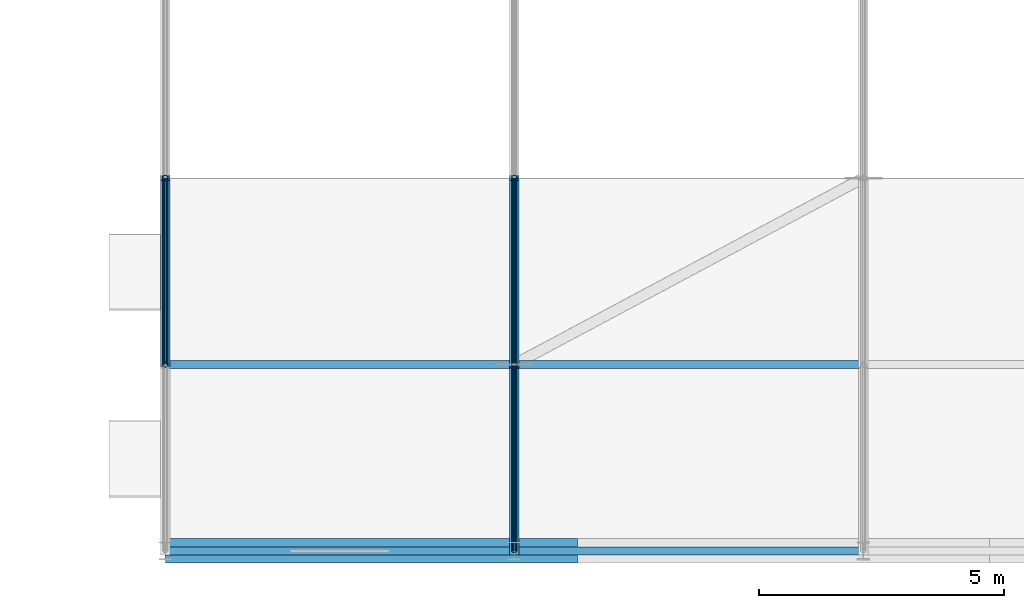
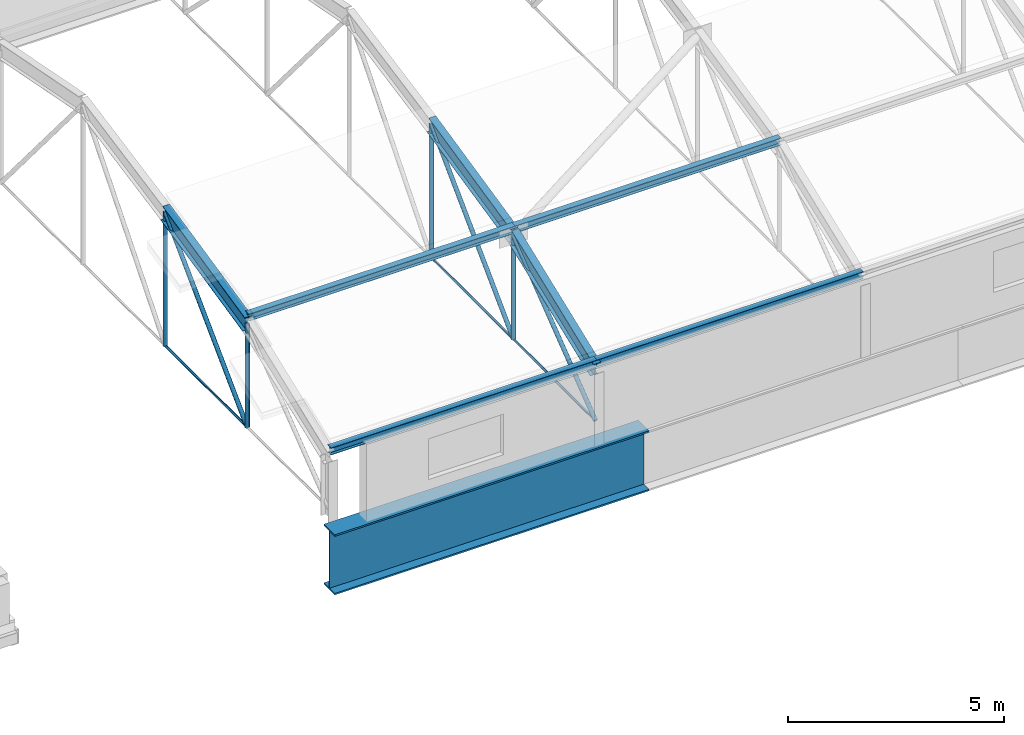
# One storey, part 6 of 53: 14 members, 4 beams.
"""IFC4 building model written with IfcOpenShell, lengths in metres."""

from ifc_helpers import new_model, si_unit, direction, frame, origin_with_axes, origin_2d_with_axis, place, context, subcontext, project, spatial, circle, hollow_circle, i_section, extrude, material, material_profile, profile_set, type_object, element, save


model = new_model("IFC4")

# Units and contexts
model_context = context("Model", 3, precision=1e-05, world=origin_with_axes(), true_north=direction((0.0, 1.0)))
body_context = subcontext(model_context, "Body", "Model", "MODEL_VIEW")
ifc_project = project(units=[si_unit("LENGTHUNIT", "METRE"), si_unit("AREAUNIT", "SQUARE_METRE"), si_unit("VOLUMEUNIT", "CUBIC_METRE"), si_unit("PLANEANGLEUNIT", "RADIAN"), si_unit("MASSUNIT", "GRAM", prefix="KILO"), si_unit("THERMODYNAMICTEMPERATUREUNIT", "KELVIN")], contexts=[model_context])

# Site, building, storey
site_placement = place(None, origin_with_axes())
site = spatial("IfcSite", under=ifc_project, at=site_placement, CompositionType="ELEMENT")
building_placement = place(site_placement, origin_with_axes())
building = spatial("IfcBuilding", under=site, at=building_placement, Name="Montbau Bow Law Courts", CompositionType="ELEMENT")
storey_placement = place(building_placement, frame((0.0, 0.0, 39.0), z_axis=(0.0, 0.0, 1.0), x_axis=(1.0, 0.0, 0.0)))
storey = spatial("IfcBuildingStorey", under=building, at=storey_placement, Name="L08", CompositionType="ELEMENT", Elevation=39.0)

# Beams
ifc_material = material(Name="Steel CSA G40.21 Grade 350WT (350 MPa)", Category="steel")
ifc_material_profile_1 = material_profile(ifc_material, i_section(OverallWidth=0.191, OverallDepth=0.46, WebThickness=0.0099, FlangeThickness=0.016, at=origin_2d_with_axis()), Name="W460X82", Category="Main", Priority=0)
ifc_profile_set_1 = profile_set([ifc_material_profile_1], Name="Steel CSA G40.21 Grade 350WT (350 MPa)")
beam_type_1 = type_object("IfcBeamType", Name="B-ARC-02", PredefinedType="USERDEFINED", material=ifc_profile_set_1)
beam_1_placement = place(None, frame((55.2, 42.8, 42.178), z_axis=(0.0, 0.97610237, 0.217311212), x_axis=(-1.0, 0.0, 0.0)))
element("IfcBeam", 1, at=beam_1_placement, inside=storey, type_object=beam_type_1, Name="Barrel vault roof truss arch rib V3-098", ObjectType="ARCH_RIB", PredefinedType="USERDEFINED", context=body_context, shape_type="SweptSolid", body=[
    extrude(i_section(OverallWidth=0.191, OverallDepth=0.46, WebThickness=0.0099, FlangeThickness=0.016, at=origin_2d_with_axis()), origin_with_axes(), (0.0, 0.0, 1.0), 3.893034),
])
beam_2_placement = place(None, frame((62.314, 39.0, 40.7), z_axis=(0.0, 0.931986259, 0.362493603), x_axis=(-1.0, 0.0, 0.0)))
element("IfcBeam", 2, at=beam_2_placement, inside=storey, type_object=beam_type_1, Name="Barrel vault roof truss arch rib V3-103", ObjectType="ARCH_RIB", PredefinedType="USERDEFINED", context=body_context, shape_type="SweptSolid", body=[
    extrude(i_section(OverallWidth=0.191, OverallDepth=0.46, WebThickness=0.0099, FlangeThickness=0.016, at=origin_2d_with_axis()), origin_with_axes(), (0.0, 0.0, 1.0), 4.077313),
])
beam_3_placement = place(None, frame((62.314, 42.8, 42.178), z_axis=(0.0, 0.97610237, 0.217311212), x_axis=(-1.0, 0.0, 0.0)))
element("IfcBeam", 3, at=beam_3_placement, inside=storey, type_object=beam_type_1, Name="Barrel vault roof truss arch rib V3-104", ObjectType="ARCH_RIB", PredefinedType="USERDEFINED", context=body_context, shape_type="SweptSolid", body=[
    extrude(i_section(OverallWidth=0.191, OverallDepth=0.46, WebThickness=0.0099, FlangeThickness=0.016, at=origin_2d_with_axis()), origin_with_axes(), (0.0, 0.0, 1.0), 3.893034),
])
ifc_material_profile_2 = material_profile(ifc_material, i_section(OverallWidth=0.5, OverallDepth=1.7, WebThickness=0.02, FlangeThickness=0.045, at=origin_2d_with_axis()), Name="WWF1700X480", Category="Main", Priority=0)
ifc_profile_set_2 = profile_set([ifc_material_profile_2], Name="Steel CSA G40.21 Grade 350WT (350 MPa)")
beam_type_2 = type_object("IfcBeamType", Name="B-TRG-02", PredefinedType="USERDEFINED", material=ifc_profile_set_2)
beam_4_placement = place(None, frame((55.2, 39.0, 37.81), z_axis=(1.0, 0.0, 0.0), x_axis=(0.0, 1.0, 0.0)))
element("IfcBeam", 4, at=beam_4_placement, inside=storey, type_object=beam_type_2, Name="VRG-L08-S0019:bm2_0022", ObjectType="GIRDER", PredefinedType="USERDEFINED", context=body_context, shape_type="SweptSolid", body=[
    extrude(i_section(OverallWidth=0.5, OverallDepth=1.7, WebThickness=0.02, FlangeThickness=0.045, at=origin_2d_with_axis()), origin_with_axes(), (0.0, 0.0, 1.0), 8.4),
])

# Members
ifc_material_profile_3 = material_profile(ifc_material, i_section(OverallWidth=0.165, OverallDepth=0.201, WebThickness=0.0062, FlangeThickness=0.0102, at=origin_2d_with_axis()), Name="W200X36", Category="Main", Priority=0)
ifc_profile_set_3 = profile_set([ifc_material_profile_3], Name="Steel CSA G40.21 Grade 350WT (350 MPa)")
member_type_1 = type_object("IfcMemberType", Name="M-PUR-02", PredefinedType="PURLIN", material=ifc_profile_set_3)
for number, where, z_axis, x_axis, name in (
    (5, (55.2, 39.0, 40.91), (1.0, 0.0, 0.0), (0.0, 1.0, 0.0), "Barrel vault roof truss purlin V3-099"),
    (6, (55.2, 42.8, 42.388), (1.0, 0.0, 0.0), (0.0, 1.0, 0.0), "Barrel vault roof truss purlin V3-100"),
):
    element("IfcMember", number, at=place(None, frame(where, z_axis=z_axis, x_axis=x_axis)), inside=storey, type_object=member_type_1, Name=name, PredefinedType="PURLIN", context=body_context, shape_type="SweptSolid", body=[
        extrude(i_section(OverallWidth=0.165, OverallDepth=0.201, WebThickness=0.0062, FlangeThickness=0.0102, at=origin_2d_with_axis()), origin_with_axes(), (0.0, 0.0, 1.0), 7.114),
    ])
for number, where, z_axis, x_axis, name in (
    (7, (62.314, 39.0, 40.91), (1.0, 0.0, 0.0), (0.0, 1.0, 0.0), "Barrel vault roof truss purlin V3-106"),
    (8, (62.314, 42.8, 42.388), (1.0, 0.0, 0.0), (0.0, 1.0, 0.0), "Barrel vault roof truss purlin V3-107"),
):
    element("IfcMember", number, at=place(None, frame(where, z_axis=z_axis, x_axis=x_axis)), inside=storey, type_object=member_type_1, Name=name, PredefinedType="PURLIN", context=body_context, shape_type="SweptSolid", body=[
        extrude(i_section(OverallWidth=0.165, OverallDepth=0.201, WebThickness=0.0062, FlangeThickness=0.0102, at=origin_2d_with_axis()), origin_with_axes(), (0.0, 0.0, 1.0), 7.115),
    ])
ifc_material_profile_4 = material_profile(ifc_material, hollow_circle(Radius=0.057, WallThickness=0.008, at=origin_2d_with_axis()), Name="HSS114X8.0", Category="Main", Priority=0)
ifc_profile_set_4 = profile_set([ifc_material_profile_4], Name="Steel CSA G40.21 Grade 350WT (350 MPa)")
member_type_2 = type_object("IfcMemberType", Name="M-STR-03", PredefinedType="STRUT", material=ifc_profile_set_4)
member_1_placement = place(None, frame((55.2, 42.8, 39.25), z_axis=(0.0, 0.709529954, 0.704675276), x_axis=(-1.0, 0.0, 0.0)))
element("IfcMember", 9, at=member_1_placement, inside=storey, type_object=member_type_2, Name="Barrel vault roof truss web diagonal V3-01-2", PredefinedType="STRUT", context=body_context, shape_type="SweptSolid", body=[
    extrude(hollow_circle(Radius=0.057, WallThickness=0.008, at=origin_2d_with_axis()), origin_with_axes(), (0.0, 0.0, 1.0), 5.355658),
])
member_2_placement = place(None, frame((55.2, 42.8, 39.25), z_axis=(0.0, 0.0, 1.0), x_axis=(1.0, 0.0, 0.0)))
element("IfcMember", 10, at=member_2_placement, inside=storey, type_object=member_type_2, Name="Barrel vault roof truss web post V3-01-1", PredefinedType="STRUT", context=body_context, shape_type="SweptSolid", body=[
    extrude(hollow_circle(Radius=0.057, WallThickness=0.008, at=origin_2d_with_axis()), origin_with_axes(), (0.0, 0.0, 1.0), 2.928),
])
member_3_placement = place(None, frame((55.2, 46.6, 39.25), z_axis=(0.0, 0.0, 1.0), x_axis=(1.0, 0.0, 0.0)))
element("IfcMember", 11, at=member_3_placement, inside=storey, type_object=member_type_2, Name="Barrel vault roof truss web post V3-01-2", PredefinedType="STRUT", context=body_context, shape_type="SweptSolid", body=[
    extrude(hollow_circle(Radius=0.057, WallThickness=0.008, at=origin_2d_with_axis()), origin_with_axes(), (0.0, 0.0, 1.0), 3.774),
])
member_4_placement = place(None, frame((62.314, 39.0, 39.25), z_axis=(0.0, 0.792127775, 0.610355296), x_axis=(-1.0, 0.0, 0.0)))
element("IfcMember", 12, at=member_4_placement, inside=storey, type_object=member_type_2, Name="Barrel vault roof truss web diagonal V3-02-1", PredefinedType="STRUT", context=body_context, shape_type="SweptSolid", body=[
    extrude(hollow_circle(Radius=0.057, WallThickness=0.008, at=origin_2d_with_axis()), origin_with_axes(), (0.0, 0.0, 1.0), 4.797206),
])
member_5_placement = place(None, frame((62.314, 42.8, 39.25), z_axis=(0.0, 0.709529954, 0.704675276), x_axis=(-1.0, 0.0, 0.0)))
element("IfcMember", 13, at=member_5_placement, inside=storey, type_object=member_type_2, Name="Barrel vault roof truss web diagonal V3-02-2", PredefinedType="STRUT", context=body_context, shape_type="SweptSolid", body=[
    extrude(hollow_circle(Radius=0.057, WallThickness=0.008, at=origin_2d_with_axis()), origin_with_axes(), (0.0, 0.0, 1.0), 5.355658),
])
member_6_placement = place(None, frame((62.314, 42.8, 39.25), z_axis=(0.0, 0.0, 1.0), x_axis=(1.0, 0.0, 0.0)))
element("IfcMember", 14, at=member_6_placement, inside=storey, type_object=member_type_2, Name="Barrel vault roof truss web post V3-02-1", PredefinedType="STRUT", context=body_context, shape_type="SweptSolid", body=[
    extrude(hollow_circle(Radius=0.057, WallThickness=0.008, at=origin_2d_with_axis()), origin_with_axes(), (0.0, 0.0, 1.0), 2.928),
])
member_7_placement = place(None, frame((62.314, 46.6, 39.25), z_axis=(0.0, 0.0, 1.0), x_axis=(1.0, 0.0, 0.0)))
element("IfcMember", 15, at=member_7_placement, inside=storey, type_object=member_type_2, Name="Barrel vault roof truss web post V3-02-2", PredefinedType="STRUT", context=body_context, shape_type="SweptSolid", body=[
    extrude(hollow_circle(Radius=0.057, WallThickness=0.008, at=origin_2d_with_axis()), origin_with_axes(), (0.0, 0.0, 1.0), 3.774),
])
ifc_material_profile_5 = material_profile(ifc_material, circle(Radius=0.032, at=origin_2d_with_axis()), Name="ROD64", Category="Main", Priority=0)
ifc_profile_set_5 = profile_set([ifc_material_profile_5], Name="Steel CSA G40.21 Grade 350WT (350 MPa)")
member_type_3 = type_object("IfcMemberType", Name="M-TIE-02", PredefinedType="USERDEFINED", material=ifc_profile_set_5)
for number, where, z_axis, x_axis, name in (
    (16, (55.2, 42.8, 39.25), (0.0, 1.0, 0.0), (-1.0, 0.0, 0.0), "Barrel vault roof truss tie V3-098"),
    (17, (62.314, 39.0, 39.25), (0.0, 1.0, 0.0), (-1.0, 0.0, 0.0), "Barrel vault roof truss tie V3-103"),
    (18, (62.314, 42.8, 39.25), (0.0, 1.0, 0.0), (-1.0, 0.0, 0.0), "Barrel vault roof truss tie V3-104"),
):
    element("IfcMember", number, at=place(None, frame(where, z_axis=z_axis, x_axis=x_axis)), inside=storey, type_object=member_type_3, Name=name, ObjectType="TIEBAR", PredefinedType="USERDEFINED", context=body_context, shape_type="SweptSolid", body=[
        extrude(circle(Radius=0.032, at=origin_2d_with_axis()), origin_with_axes(), (0.0, 0.0, 1.0), 3.8),
    ])

save(model, "model.ifc")
